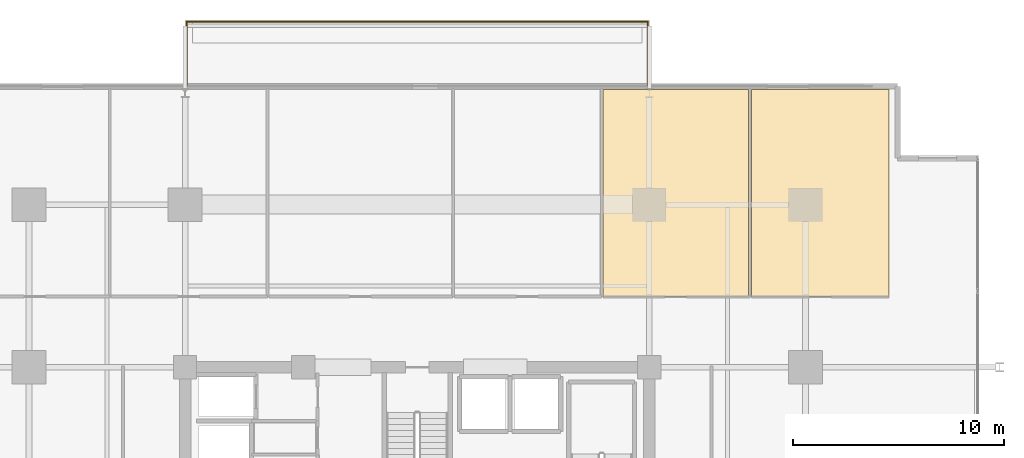
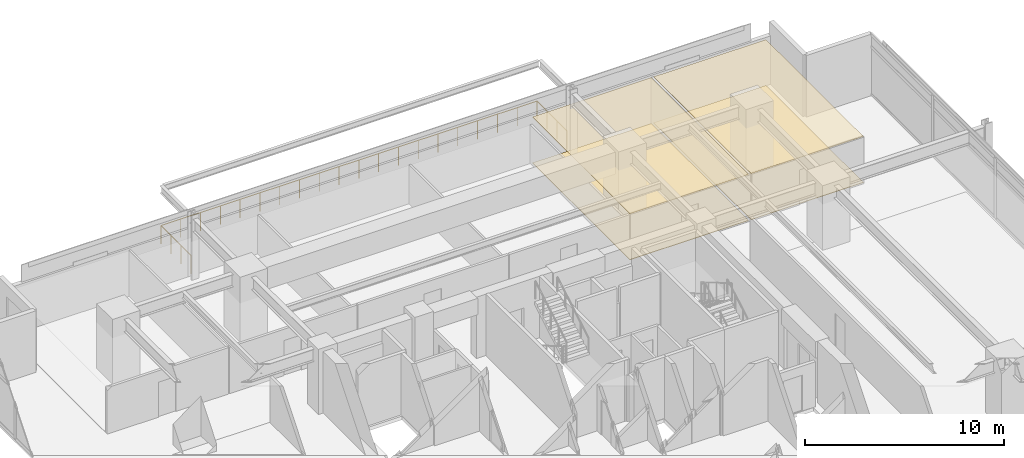
# One storey, part 23 of 23: 4 coverings, 1 railing.
"""IFC4 building model written with IfcOpenShell, lengths in metres."""

from ifc_helpers import new_model, si_unit, direction, frame, origin, origin_2d, place, context, subcontext, project, spatial, polyline, circle, outline, extrude, material, layer, layer_set, type_object, element, save


model = new_model("IFC4")

# Units and contexts
model_context = context("Model", 3, precision=1e-05, world=origin(), true_north=direction((0.0, 1.0)))
body_context = subcontext(model_context, "Body", "Model", "MODEL_VIEW")
ifc_project = project(units=[si_unit("LENGTHUNIT", "METRE"), si_unit("AREAUNIT", "SQUARE_METRE"), si_unit("VOLUMEUNIT", "CUBIC_METRE"), si_unit("PLANEANGLEUNIT", "RADIAN"), si_unit("MASSUNIT", "GRAM", prefix="KILO")], contexts=[model_context])

# Site, building, storey
site_placement = place(None, origin())
site = spatial("IfcSite", under=ifc_project, at=site_placement, CompositionType="ELEMENT")
building_placement = place(site_placement, origin())
building = spatial("IfcBuilding", under=site, at=building_placement, Name="Kovane Verandah Tower", CompositionType="ELEMENT")
storey_placement = place(building_placement, frame((0.0, 0.0, 148.39990234375)))
storey = spatial("IfcBuildingStorey", under=building, at=storey_placement, Name="L34", CompositionType="ELEMENT", Elevation=148.39990234375)

# Coverings
ifc_material_1 = material(Name="Perforated Acoustic Mineral-Fibre Ceiling Tile", Category="gypsum")
ifc_layer_1 = layer(ifc_material_1, 0.02490234375)
ifc_layer_set_1 = layer_set([ifc_layer_1], Name="Perforated Acoustic Mineral-Fibre Ceiling Tile")
covering_type_1 = type_object("IfcCoveringType", Name="CV-CEIL-25", PredefinedType="CEILING", material=ifc_layer_set_1)
covering_1_placement = place(storey_placement, frame((0.0, 0.0, 2.8251953125)))
element("IfcCovering", 1, at=covering_1_placement, inside=storey, type_object=covering_type_1, Name="L34 Document and Print Room N5 Acoustic Ceiling", PredefinedType="CEILING", context=body_context, shape_type="SweptSolid", body=[
    extrude(outline(polyline([(48.80322265625, 39.85009765625), (55.6982421875, 39.85009765625), (55.6982421875, 49.653564453125), (48.80322265625, 49.653564453125), (48.80322265625, 39.85009765625)])), origin(), (0.0, 0.0, 1.0), 0.02490234375),
])
covering_2_placement = place(storey_placement, frame((0.0, 0.0, 2.8251953125)))
element("IfcCovering", 2, at=covering_2_placement, inside=storey, type_object=covering_type_1, Name="L34 Open Plan Office N6 Acoustic Ceiling", PredefinedType="CEILING", context=body_context, shape_type="SweptSolid", body=[
    extrude(outline(polyline([(55.838134765625, 39.85009765625), (62.363525390625, 39.85009765625), (62.363525390625, 49.653564453125), (55.838134765625, 49.653564453125), (55.838134765625, 39.85009765625)])), origin(), (0.0, 0.0, 1.0), 0.02490234375),
])
ifc_material_2 = material(Name="Polished Terrazzo and Raised-Access Carpet Tile Finish", Category="concrete")
ifc_layer_2 = layer(ifc_material_2, 0.030029296875)
ifc_layer_set_2 = layer_set([ifc_layer_2], Name="Polished Terrazzo and Raised-Access Carpet Tile Finish")
covering_type_2 = type_object("IfcCoveringType", Name="CV-FLOR-30", PredefinedType="FLOORING", material=ifc_layer_set_2)
covering_3_placement = place(storey_placement, origin())
element("IfcCovering", 3, at=covering_3_placement, inside=storey, type_object=covering_type_2, Name="L34 Document and Print Room N5 Floor Finish", PredefinedType="FLOORING", context=body_context, shape_type="SweptSolid", body=[
    extrude(outline(polyline([(48.80322265625, 39.85009765625), (55.6982421875, 39.85009765625), (55.6982421875, 49.653564453125), (48.80322265625, 49.653564453125), (48.80322265625, 39.85009765625)])), origin(), (0.0, 0.0, 1.0), 0.030029296875),
])
covering_4_placement = place(storey_placement, origin())
element("IfcCovering", 4, at=covering_4_placement, inside=storey, type_object=covering_type_2, Name="L34 Open Plan Office N6 Floor Finish", PredefinedType="FLOORING", context=body_context, shape_type="SweptSolid", body=[
    extrude(outline(polyline([(55.838134765625, 39.85009765625), (62.363525390625, 39.85009765625), (62.363525390625, 49.653564453125), (55.838134765625, 49.653564453125), (55.838134765625, 39.85009765625)])), origin(), (0.0, 0.0, 1.0), 0.030029296875),
])

# Railing
ifc_material_3 = material(Name="Laminated Glass and Pale-Champagne Stainless Balustrade", Category="glass")
railing_type = type_object("IfcRailingType", Name="RL-BAL-1150", PredefinedType="BALUSTRADE", material=ifc_material_3)
railing_placement = place(storey_placement, frame((29.080078125, 49.853515625, 0.0)))
element("IfcRailing", 5, at=railing_placement, inside=storey, type_object=railing_type, Name="L34 N Verandah Glass Balustrade", PredefinedType="BALUSTRADE", context=body_context, shape_type="SweptSolid", body=[
    extrude(circle(Radius=0.02392578125, at=origin_2d()), frame((0.0, 0.0, 1.1259765625), z_axis=(0.0, 1.0, 0.0), x_axis=(-1.0, 0.0, 0.0)), (0.0, 0.0, 1.0), 3.02001953125),
    extrude(circle(Radius=0.02392578125, at=origin_2d()), frame((0.0, 3.02001953125, 1.1259765625), z_axis=(1.0, 0.0, 0.0), x_axis=(0.0, 1.0, 0.0)), (0.0, 0.0, 1.0), 21.83984375),
    extrude(circle(Radius=0.02392578125, at=origin_2d()), frame((21.83984375, 3.02001953125, 1.1259765625), z_axis=(0.0, -1.0, 0.0), x_axis=(1.0, 0.0, 0.0)), (0.0, 0.0, 1.0), 3.02001953125),
    extrude(circle(Radius=0.02099609375, at=origin_2d()), origin(), (0.0, 0.0, 1.0), 1.101806640625),
    extrude(circle(Radius=0.02099609375, at=origin_2d()), frame((0.0, 1.006591796875, 0.0)), (0.0, 0.0, 1.0), 1.101806640625),
    extrude(circle(Radius=0.02099609375, at=origin_2d()), frame((0.0, 2.013427734375, 0.0)), (0.0, 0.0, 1.0), 1.101806640625),
    extrude(circle(Radius=0.02099609375, at=origin_2d()), frame((0.0, 3.02001953125, 0.0)), (0.0, 0.0, 1.0), 1.101806640625),
    extrude(circle(Radius=0.02099609375, at=origin_2d()), frame((1.1494140625, 3.02001953125, 0.0)), (0.0, 0.0, 1.0), 1.101806640625),
    extrude(circle(Radius=0.02099609375, at=origin_2d()), frame((2.298828125, 3.02001953125, 0.0)), (0.0, 0.0, 1.0), 1.101806640625),
    extrude(circle(Radius=0.02099609375, at=origin_2d()), frame((3.448486328125, 3.02001953125, 0.0)), (0.0, 0.0, 1.0), 1.101806640625),
    extrude(circle(Radius=0.02099609375, at=origin_2d()), frame((4.597900390625, 3.02001953125, 0.0)), (0.0, 0.0, 1.0), 1.101806640625),
    extrude(circle(Radius=0.02099609375, at=origin_2d()), frame((5.747314453125, 3.02001953125, 0.0)), (0.0, 0.0, 1.0), 1.101806640625),
    extrude(circle(Radius=0.02099609375, at=origin_2d()), frame((6.896728515625, 3.02001953125, 0.0)), (0.0, 0.0, 1.0), 1.101806640625),
    extrude(circle(Radius=0.02099609375, at=origin_2d()), frame((8.046142578125, 3.02001953125, 0.0)), (0.0, 0.0, 1.0), 1.101806640625),
    extrude(circle(Radius=0.02099609375, at=origin_2d()), frame((9.19580078125, 3.02001953125, 0.0)), (0.0, 0.0, 1.0), 1.101806640625),
    extrude(circle(Radius=0.02099609375, at=origin_2d()), frame((10.34521484375, 3.02001953125, 0.0)), (0.0, 0.0, 1.0), 1.101806640625),
    extrude(circle(Radius=0.02099609375, at=origin_2d()), frame((11.49462890625, 3.02001953125, 0.0)), (0.0, 0.0, 1.0), 1.101806640625),
    extrude(circle(Radius=0.02099609375, at=origin_2d()), frame((12.64404296875, 3.02001953125, 0.0)), (0.0, 0.0, 1.0), 1.101806640625),
    extrude(circle(Radius=0.02099609375, at=origin_2d()), frame((13.793701171875, 3.02001953125, 0.0)), (0.0, 0.0, 1.0), 1.101806640625),
    extrude(circle(Radius=0.02099609375, at=origin_2d()), frame((14.943115234375, 3.02001953125, 0.0)), (0.0, 0.0, 1.0), 1.101806640625),
    extrude(circle(Radius=0.02099609375, at=origin_2d()), frame((16.092529296875, 3.02001953125, 0.0)), (0.0, 0.0, 1.0), 1.101806640625),
    extrude(circle(Radius=0.02099609375, at=origin_2d()), frame((17.241943359375, 3.02001953125, 0.0)), (0.0, 0.0, 1.0), 1.101806640625),
    extrude(circle(Radius=0.02099609375, at=origin_2d()), frame((18.391357421875, 3.02001953125, 0.0)), (0.0, 0.0, 1.0), 1.101806640625),
    extrude(circle(Radius=0.02099609375, at=origin_2d()), frame((19.541015625, 3.02001953125, 0.0)), (0.0, 0.0, 1.0), 1.101806640625),
    extrude(circle(Radius=0.02099609375, at=origin_2d()), frame((20.6904296875, 3.02001953125, 0.0)), (0.0, 0.0, 1.0), 1.101806640625),
    extrude(circle(Radius=0.02099609375, at=origin_2d()), frame((21.83984375, 3.02001953125, 0.0)), (0.0, 0.0, 1.0), 1.101806640625),
    extrude(circle(Radius=0.02099609375, at=origin_2d()), frame((21.83984375, 2.013427734375, 0.0)), (0.0, 0.0, 1.0), 1.101806640625),
    extrude(circle(Radius=0.02099609375, at=origin_2d()), frame((21.83984375, 1.006591796875, 0.0)), (0.0, 0.0, 1.0), 1.101806640625),
    extrude(circle(Radius=0.02099609375, at=origin_2d()), frame((21.83984375, 0.0, 0.0)), (0.0, 0.0, 1.0), 1.101806640625),
])

save(model, "model.ifc")
